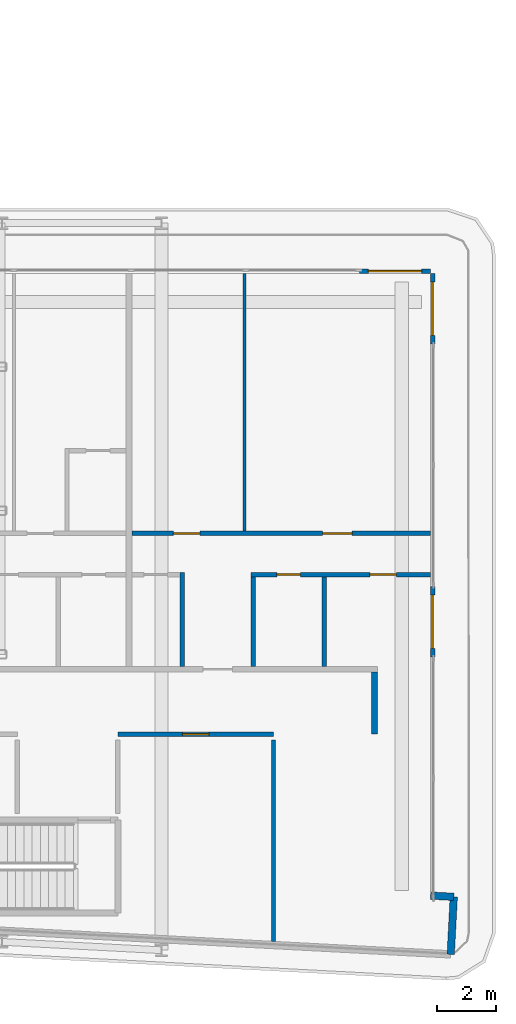
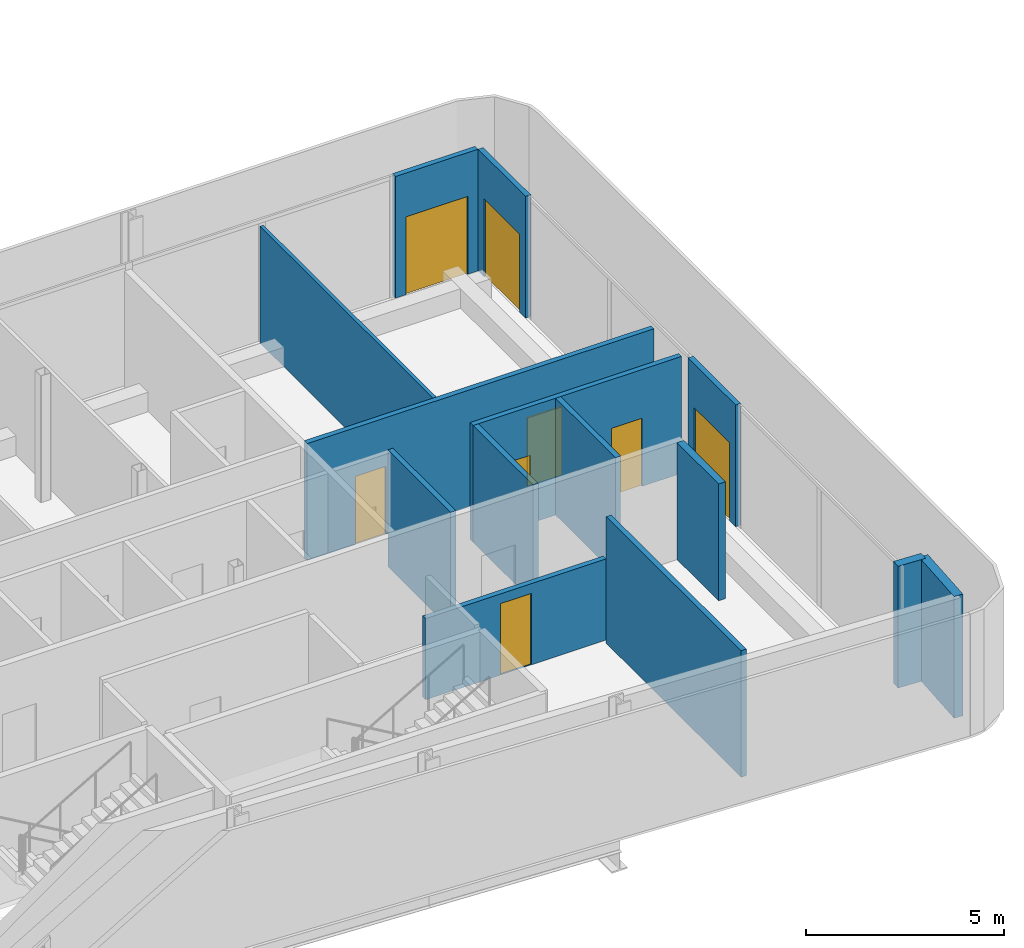
# One storey, part 20 of 29: 14 walls, 8 doors, 8 openings.
"""IFC4 building model written with IfcOpenShell, lengths in metres."""

from ifc_helpers import new_model, si_unit, direction, frame, frame_2d, origin, place, context, subcontext, project, spatial, rectangle, extrude, source, transform, mapped, material, layer, layer_set, type_object, element, fill, save


model = new_model("IFC4")

# Units and contexts
model_context = context("Model", 3, precision=1e-05, world=origin(), true_north=direction((0.0, 1.0)))
body_context = subcontext(model_context, "Body", "Model", "MODEL_VIEW")
ifc_project = project(units=[si_unit("LENGTHUNIT", "METRE"), si_unit("AREAUNIT", "SQUARE_METRE"), si_unit("VOLUMEUNIT", "CUBIC_METRE"), si_unit("PLANEANGLEUNIT", "RADIAN"), si_unit("MASSUNIT", "GRAM", prefix="KILO")], contexts=[model_context])

# Site, building, storey
site_placement = place(None, origin())
site = spatial("IfcSite", under=ifc_project, at=site_placement, CompositionType="ELEMENT")
building_placement = place(site_placement, origin())
building = spatial("IfcBuilding", under=site, at=building_placement, Name="Kheshtan School and Residences Tower", CompositionType="ELEMENT")
storey_placement = place(building_placement, frame((0.0, 0.0, 176.0)))
storey = spatial("IfcBuildingStorey", under=building, at=storey_placement, Name="L41", CompositionType="ELEMENT", Elevation=176.0)

# Walls
ifc_material_1 = material(Name="Gypsum board on steel studs with fire boards", Category="steel")
ifc_layer_1 = layer(ifc_material_1, 0.199951171875)
ifc_layer_set_1 = layer_set([ifc_layer_1], Name="Corridor wall 200")
wall_type_1 = type_object("IfcWallType", Name="Corridor wall 200", PredefinedType="PARTITIONING", material=ifc_layer_set_1)
wall_1_placement = place(storey_placement, frame((98.0, 28.300048828125, 0.0), z_axis=(0.0, 0.0, 1.0), x_axis=(0.0, 1.0, 0.0)))
element("IfcWall", 1, at=wall_1_placement, inside=storey, type_object=wall_type_1, Name="Partition L41-071", PredefinedType="PARTITIONING", context=body_context, shape_type="SweptSolid", body=[
    extrude(rectangle(XDim=2.099853515625, YDim=0.199951171875, at=frame_2d((1.0498046875, 0.0))), origin(), (0.0, 0.0, 1.0), 3.60009765625),
])
ifc_material_2 = material(Name="Concrete C40/50 with ceramic cladding and mineral wool insulation", Category="concrete")
ifc_layer_2 = layer(ifc_material_2, 0.25)
ifc_layer_set_2 = layer_set([ifc_layer_2], Name="External wall 250 ceramic clad")
wall_type_2 = type_object("IfcWallType", Name="External wall 250 ceramic clad", PredefinedType="SOLIDWALL", material=ifc_layer_set_2)
wall_2_placement = place(storey_placement, frame((99.906982421875, 22.839111328125, 0.0), z_axis=(0.0, 0.0, 1.0), x_axis=(0.998561284263, -0.053622398031, 0.0)))
element("IfcWall", 2, at=wall_2_placement, inside=storey, type_object=wall_type_2, Name="External wall L41 14", PredefinedType="SOLIDWALL", context=body_context, shape_type="SweptSolid", body=[
    extrude(rectangle(XDim=0.783203125, YDim=0.25, at=frame_2d((0.3916015625, 0.0))), origin(), (0.0, 0.0, 1.0), 3.75),
])
wall_3_placement = place(storey_placement, frame((100.68896484375, 22.797119140625, 0.0), z_axis=(0.0, 0.0, 1.0), x_axis=(-0.052841433274, -0.998602915542, 0.0)))
element("IfcWall", 3, at=wall_3_placement, inside=storey, type_object=wall_type_2, Name="External wall L41 15", PredefinedType="SOLIDWALL", context=body_context, shape_type="SweptSolid", body=[
    extrude(rectangle(XDim=1.94970703125, YDim=0.25, at=frame_2d((0.974853515625, 0.0))), origin(), (0.0, 0.0, 1.0), 3.75),
])

# Wall, opening, door
ifc_material_3 = material(Name="Aluminium frame wall with insulated infill", Category="aluminium")
ifc_layer_3 = layer(ifc_material_3, 0.14990234375)
ifc_layer_set_3 = layer_set([ifc_layer_3], Name="Glazing frame wall 150")
wall_type_3 = type_object("IfcWallType", Name="Glazing frame wall 150", PredefinedType="SOLIDWALL", material=ifc_layer_set_3)
wall_4_placement = place(storey_placement, frame((97.5, 43.97509765625, 0.0), z_axis=(0.0, 0.0, 1.0), x_axis=(1.0, 0.0, 0.0)))
wall_4 = element("IfcWall", 4, at=wall_4_placement, inside=storey, type_object=wall_type_3, Name="Balcony door wall L41 12.5", PredefinedType="SOLIDWALL", context=body_context, shape_type="SweptSolid", body=[
    extrude(rectangle(XDim=2.39990234375, YDim=0.14990234375, at=frame_2d((1.199951171875, 0.0))), origin(), (0.0, 0.0, 1.0), 3.75),
])
opening_1_placement = place(wall_4_placement, frame((0.300048828125, 0.0, 0.0)))
opening_1 = element("IfcOpeningElement", 5, at=opening_1_placement, cuts=wall_4, Name="Opening BD", PredefinedType="OPENING", context=body_context, shape_type="SweptSolid", body=[
    extrude(rectangle(XDim=1.800048828125, YDim=2.39990234375, at=frame_2d((0.89990234375, 1.199951171875))), frame((0.0, 0.0849609375, 0.0), z_axis=(0.0, -1.0, 0.0), x_axis=(1.0, 0.0, 0.0)), (0.0, 0.0, 1.0), 0.169921875),
])
ifc_material_4 = material(Name="Clear low-e glass in thermally broken aluminium frame", Category="aluminium")
door_type_1 = type_object("IfcDoorType", Name="Balcony sliding door", OperationType="SLIDING_TO_LEFT", PredefinedType="DOOR", material=ifc_material_4)
shared_shape_1 = source(origin(), body_context, "Body", "SweptSolid", [
    extrude(rectangle(XDim=1.800048828125, YDim=2.39990234375, at=frame_2d((0.89990234375, 1.199951171875))), frame((0.0, 0.02490234375, 0.0), z_axis=(0.0, -1.0, 0.0), x_axis=(1.0, 0.0, 0.0)), (0.0, 0.0, 1.0), 0.050048828125),
])
door_1_placement = place(opening_1_placement, origin())
door_1 = element("IfcDoor", 6, at=door_1_placement, inside=storey, type_object=door_type_1, Name="Balcony door L41 12.5", OperationType="SLIDING_TO_LEFT", OverallHeight=2.39990234375, OverallWidth=1.800048828125, PredefinedType="DOOR", context=body_context, shape_type="MappedRepresentation", body=[
    mapped(shared_shape_1, transform((0.0, 0.0, 0.0), x_axis=(1.0, 0.0, 0.0), y_axis=(0.0, 1.0, 0.0), z_axis=(0.0, 0.0, 1.0), scale=1.0)),
])
fill(opening_1, door_1)

wall_5_placement = place(storey_placement, frame((99.97509765625, 43.89990234375, 0.0), z_axis=(0.0, 0.0, 1.0), x_axis=(0.0, -1.0, 0.0)))
wall_5 = element("IfcWall", 7, at=wall_5_placement, inside=storey, type_object=wall_type_3, Name="Balcony door wall L41 13.1", PredefinedType="SOLIDWALL", context=body_context, shape_type="SweptSolid", body=[
    extrude(rectangle(XDim=2.39990234375, YDim=0.14990234375, at=frame_2d((1.199951171875, 0.0))), origin(), (0.0, 0.0, 1.0), 3.75),
])
opening_2_placement = place(wall_5_placement, frame((0.300048828125, 0.0, 0.0)))
opening_2 = element("IfcOpeningElement", 8, at=opening_2_placement, cuts=wall_5, Name="Opening BD", PredefinedType="OPENING", context=body_context, shape_type="SweptSolid", body=[
    extrude(rectangle(XDim=1.800048828125, YDim=2.39990234375, at=frame_2d((0.89990234375, 1.199951171875))), frame((0.0, 0.0849609375, 0.0), z_axis=(0.0, -1.0, 0.0), x_axis=(1.0, 0.0, 0.0)), (0.0, 0.0, 1.0), 0.169921875),
])
door_2_placement = place(opening_2_placement, origin())
door_2 = element("IfcDoor", 9, at=door_2_placement, inside=storey, type_object=door_type_1, Name="Balcony door L41 13.1", OperationType="SLIDING_TO_LEFT", OverallHeight=2.39990234375, OverallWidth=1.800048828125, PredefinedType="DOOR", context=body_context, shape_type="MappedRepresentation", body=[
    mapped(shared_shape_1, transform((0.0, 0.0, 0.0), x_axis=(1.0, 0.0, 0.0), y_axis=(0.0, 1.0, 0.0), z_axis=(0.0, 0.0, 1.0), scale=1.0)),
])
fill(opening_2, door_2)

wall_6_placement = place(storey_placement, frame((99.97509765625, 33.306884765625, 0.0), z_axis=(0.0, 0.0, 1.0), x_axis=(0.0, -1.0, 0.0)))
wall_6 = element("IfcWall", 10, at=wall_6_placement, inside=storey, type_object=wall_type_3, Name="Balcony door wall L41 13.2", PredefinedType="SOLIDWALL", context=body_context, shape_type="SweptSolid", body=[
    extrude(rectangle(XDim=2.39990234375, YDim=0.14990234375, at=frame_2d((1.199951171875, 0.0))), origin(), (0.0, 0.0, 1.0), 3.75),
])
opening_3_placement = place(wall_6_placement, frame((0.300048828125, 0.0, 0.0)))
opening_3 = element("IfcOpeningElement", 11, at=opening_3_placement, cuts=wall_6, Name="Opening BD", PredefinedType="OPENING", context=body_context, shape_type="SweptSolid", body=[
    extrude(rectangle(XDim=1.800048828125, YDim=2.39990234375, at=frame_2d((0.89990234375, 1.199951171875))), frame((0.0, 0.0849609375, 0.0), z_axis=(0.0, -1.0, 0.0), x_axis=(1.0, 0.0, 0.0)), (0.0, 0.0, 1.0), 0.169921875),
])
door_3_placement = place(opening_3_placement, origin())
door_3 = element("IfcDoor", 12, at=door_3_placement, inside=storey, type_object=door_type_1, Name="Balcony door L41 13.2", OperationType="SLIDING_TO_LEFT", OverallHeight=2.39990234375, OverallWidth=1.800048828125, PredefinedType="DOOR", context=body_context, shape_type="MappedRepresentation", body=[
    mapped(shared_shape_1, transform((0.0, 0.0, 0.0), x_axis=(1.0, 0.0, 0.0), y_axis=(0.0, 1.0, 0.0), z_axis=(0.0, 0.0, 1.0), scale=1.0)),
])
fill(opening_3, door_3)

# Wall
ifc_material_5 = material(Name="Gypsum board on steel studs", Category="steel")
ifc_layer_4 = layer(ifc_material_5, 0.10009765625)
ifc_layer_set_4 = layer_set([ifc_layer_4], Name="Gypsum partition 100")
wall_type_4 = type_object("IfcWallType", Name="Gypsum partition 100", PredefinedType="PARTITIONING", material=ifc_layer_set_4)
wall_7_placement = place(storey_placement, frame((93.60009765625, 35.175048828125, 0.0), z_axis=(0.0, 0.0, 1.0), x_axis=(0.0, 1.0, 0.0)))
element("IfcWall", 13, at=wall_7_placement, inside=storey, type_object=wall_type_4, Name="Partition L41-067", PredefinedType="PARTITIONING", context=body_context, shape_type="SweptSolid", body=[
    extrude(rectangle(XDim=8.724853515625, YDim=0.10009765625, at=frame_2d((4.3623046875, 0.0))), origin(), (0.0, 0.0, 1.0), 3.60009765625),
])

# Wall, opening, door
ifc_material_6 = material(Name="Fire-board shaft wall system")
ifc_layer_5 = layer(ifc_material_6, 0.14990234375)
ifc_layer_set_5 = layer_set([ifc_layer_5], Name="Service room wall 150")
wall_type_5 = type_object("IfcWallType", Name="Service room wall 150", PredefinedType="PARTITIONING", material=ifc_layer_set_5)
wall_8_placement = place(storey_placement, frame((89.320068359375, 28.300048828125, 0.0), z_axis=(0.0, 0.0, 1.0), x_axis=(1.0, 0.0, 0.0)))
wall_8 = element("IfcWall", 14, at=wall_8_placement, inside=storey, type_object=wall_type_5, Name="Service room wall", PredefinedType="PARTITIONING", context=body_context, shape_type="SweptSolid", body=[
    extrude(rectangle(XDim=5.266845703125, YDim=0.14990234375, at=frame_2d((2.63330078125, 0.0))), origin(), (0.0, 0.0, 1.0), 2.5),
])
opening_4_placement = place(wall_8_placement, frame((2.18408203125, 0.0, 0.0)))
opening_4 = element("IfcOpeningElement", 15, at=opening_4_placement, cuts=wall_8, Name="Opening SR90", PredefinedType="OPENING", context=body_context, shape_type="SweptSolid", body=[
    extrude(rectangle(XDim=0.89990234375, YDim=2.199951171875, at=frame_2d((0.449951171875, 1.10009765625))), frame((0.0, 0.0849609375, 0.0), z_axis=(0.0, -1.0, 0.0), x_axis=(1.0, 0.0, 0.0)), (0.0, 0.0, 1.0), 0.169921875),
])
ifc_material_7 = material(Name="Steel door leaf, galvanised", Category="steel")
door_type_2 = type_object("IfcDoorType", Name="Service room door 900 steel 90 min", OperationType="SINGLE_SWING_LEFT", PredefinedType="DOOR", material=ifc_material_7)
shared_shape_2 = source(origin(), body_context, "Body", "SweptSolid", [
    extrude(rectangle(XDim=0.89990234375, YDim=2.199951171875, at=frame_2d((0.449951171875, 1.10009765625))), frame((0.0, 0.02490234375, 0.0), z_axis=(0.0, -1.0, 0.0), x_axis=(1.0, 0.0, 0.0)), (0.0, 0.0, 1.0), 0.050048828125),
])
door_4_placement = place(opening_4_placement, origin())
door_4 = element("IfcDoor", 16, at=door_4_placement, inside=storey, type_object=door_type_2, Name="Service room door", OperationType="SINGLE_SWING_LEFT", OverallHeight=2.199951171875, OverallWidth=0.89990234375, PredefinedType="DOOR", context=body_context, shape_type="MappedRepresentation", body=[
    mapped(shared_shape_2, transform((0.0, 0.0, 0.0), x_axis=(1.0, 0.0, 0.0), y_axis=(0.0, 1.0, 0.0), z_axis=(0.0, 0.0, 1.0), scale=1.0)),
])
fill(opening_4, door_4)

# Wall
wall_9_placement = place(storey_placement, frame((94.5869140625, 21.29296875, 0.0), z_axis=(0.0, 0.0, 1.0), x_axis=(0.0, 1.0, 0.0)))
element("IfcWall", 17, at=wall_9_placement, inside=storey, type_object=wall_type_5, Name="Service room wall", PredefinedType="PARTITIONING", context=body_context, shape_type="SweptSolid", body=[
    extrude(rectangle(XDim=6.81201171875, YDim=0.14990234375, at=frame_2d((3.406005859375, 0.0))), origin(), (0.0, 0.0, 1.0), 3.89990234375),
])

# Wall, openings, doors
ifc_material_8 = material(Name="Moisture-resistant gypsum board on steel studs", Category="steel")
ifc_layer_6 = layer(ifc_material_8, 0.14990234375)
ifc_layer_set_6 = layer_set([ifc_layer_6], Name="Wet-room partition 150")
wall_type_6 = type_object("IfcWallType", Name="Wet-room partition 150", PredefinedType="PARTITIONING", material=ifc_layer_set_6)
wall_10_placement = place(storey_placement, frame((89.800048828125, 35.10009765625, 0.0), z_axis=(0.0, 0.0, 1.0), x_axis=(1.0, 0.0, 0.0)))
wall_10 = element("IfcWall", 18, at=wall_10_placement, inside=storey, type_object=wall_type_6, Name="Partition L41-065", PredefinedType="PARTITIONING", context=body_context, shape_type="SweptSolid", body=[
    extrude(rectangle(XDim=10.099853515625, YDim=0.14990234375, at=frame_2d((5.0498046875, 0.0))), origin(), (0.0, 0.0, 1.0), 3.60009765625),
])
opening_5_placement = place(wall_10_placement, frame((1.39990234375, 0.0, 0.0)))
opening_5 = element("IfcOpeningElement", 19, at=opening_5_placement, cuts=wall_10, Name="Opening D41-026", PredefinedType="OPENING", context=body_context, shape_type="SweptSolid", body=[
    extrude(rectangle(XDim=0.89990234375, YDim=2.10009765625, at=frame_2d((0.449951171875, 1.050048828125))), frame((0.0, 0.0849609375, 0.0), z_axis=(0.0, -1.0, 0.0), x_axis=(1.0, 0.0, 0.0)), (0.0, 0.0, 1.0), 0.169921875),
])
opening_6_placement = place(wall_10_placement, frame((6.449951171875, 0.0, 0.0)))
opening_6 = element("IfcOpeningElement", 20, at=opening_6_placement, cuts=wall_10, Name="Opening D41-029", PredefinedType="OPENING", context=body_context, shape_type="SweptSolid", body=[
    extrude(rectangle(XDim=1.0, YDim=2.10009765625, at=frame_2d((0.5, 1.050048828125))), frame((0.0, 0.0849609375, 0.0), z_axis=(0.0, -1.0, 0.0), x_axis=(1.0, 0.0, 0.0)), (0.0, 0.0, 1.0), 0.169921875),
])
ifc_material_9 = material(Name="Veneered timber door leaf", Category="wood")
door_type_3 = type_object("IfcDoorType", Name="Door 1000 x 2100", OperationType="SINGLE_SWING_LEFT", PredefinedType="DOOR", material=ifc_material_9)
shared_shape_3 = source(origin(), body_context, "Body", "SweptSolid", [
    extrude(rectangle(XDim=1.0, YDim=2.10009765625, at=frame_2d((0.5, 1.050048828125))), frame((0.0, 0.02490234375, 0.0), z_axis=(0.0, -1.0, 0.0), x_axis=(1.0, 0.0, 0.0)), (0.0, 0.0, 1.0), 0.050048828125),
])
door_5_placement = place(opening_6_placement, origin())
door_5 = element("IfcDoor", 21, at=door_5_placement, inside=storey, type_object=door_type_3, Name="Door D41-029", OperationType="SINGLE_SWING_LEFT", OverallHeight=2.10009765625, OverallWidth=1.0, PredefinedType="DOOR", context=body_context, shape_type="MappedRepresentation", body=[
    mapped(shared_shape_3, transform((0.0, 0.0, 0.0), x_axis=(1.0, 0.0, 0.0), y_axis=(0.0, 1.0, 0.0), z_axis=(0.0, 0.0, 1.0), scale=1.0)),
])
fill(opening_6, door_5)
door_type_4 = type_object("IfcDoorType", Name="Door 900 x 2100", OperationType="SINGLE_SWING_LEFT", PredefinedType="DOOR", material=ifc_material_9)
shared_shape_4 = source(origin(), body_context, "Body", "SweptSolid", [
    extrude(rectangle(XDim=0.89990234375, YDim=2.10009765625, at=frame_2d((0.449951171875, 1.050048828125))), frame((0.0, 0.02490234375, 0.0), z_axis=(0.0, -1.0, 0.0), x_axis=(1.0, 0.0, 0.0)), (0.0, 0.0, 1.0), 0.050048828125),
])
door_6_placement = place(opening_5_placement, origin())
door_6 = element("IfcDoor", 22, at=door_6_placement, inside=storey, type_object=door_type_4, Name="Door D41-026", OperationType="SINGLE_SWING_RIGHT", OverallHeight=2.10009765625, OverallWidth=0.89990234375, PredefinedType="DOOR", context=body_context, shape_type="MappedRepresentation", body=[
    mapped(shared_shape_4, transform((0.0, 0.0, 0.0), x_axis=(1.0, 0.0, 0.0), y_axis=(0.0, 1.0, 0.0), z_axis=(0.0, 0.0, 1.0), scale=1.0)),
])
fill(opening_5, door_6)

# Wall
wall_11_placement = place(storey_placement, frame((91.5, 30.60009765625, 0.0), z_axis=(0.0, 0.0, 1.0), x_axis=(0.0, 1.0, 0.0)))
element("IfcWall", 23, at=wall_11_placement, inside=storey, type_object=wall_type_6, Name="Partition L41-066", PredefinedType="PARTITIONING", context=body_context, shape_type="SweptSolid", body=[
    extrude(rectangle(XDim=3.1748046875, YDim=0.14990234375, at=frame_2d((1.58740234375, 0.0))), origin(), (0.0, 0.0, 1.0), 3.60009765625),
])

# Wall, openings, doors
wall_12_placement = place(storey_placement, frame((93.824951171875, 33.699951171875, 0.0), z_axis=(0.0, 0.0, 1.0), x_axis=(1.0, 0.0, 0.0)))
wall_12 = element("IfcWall", 24, at=wall_12_placement, inside=storey, type_object=wall_type_6, Name="Partition L41-068", PredefinedType="PARTITIONING", context=body_context, shape_type="SweptSolid", body=[
    extrude(rectangle(XDim=6.074951171875, YDim=0.14990234375, at=frame_2d((3.03759765625, 0.0))), origin(), (0.0, 0.0, 1.0), 3.60009765625),
])
opening_7_placement = place(wall_12_placement, frame((0.875, 0.0, 0.0)))
opening_7 = element("IfcOpeningElement", 25, at=opening_7_placement, cuts=wall_12, Name="Opening D41-025", PredefinedType="OPENING", context=body_context, shape_type="SweptSolid", body=[
    extrude(rectangle(XDim=0.800048828125, YDim=2.10009765625, at=frame_2d((0.39990234375, 1.050048828125))), frame((0.0, 0.0849609375, 0.0), z_axis=(0.0, -1.0, 0.0), x_axis=(1.0, 0.0, 0.0)), (0.0, 0.0, 1.0), 0.169921875),
])
opening_8_placement = place(wall_12_placement, frame((4.02490234375, 0.0, 0.0)))
opening_8 = element("IfcOpeningElement", 26, at=opening_8_placement, cuts=wall_12, Name="Opening D41-028", PredefinedType="OPENING", context=body_context, shape_type="SweptSolid", body=[
    extrude(rectangle(XDim=0.89990234375, YDim=2.10009765625, at=frame_2d((0.449951171875, 1.050048828125))), frame((0.0, 0.0849609375, 0.0), z_axis=(0.0, -1.0, 0.0), x_axis=(1.0, 0.0, 0.0)), (0.0, 0.0, 1.0), 0.169921875),
])
door_type_5 = type_object("IfcDoorType", Name="Door 800 x 2100", OperationType="SINGLE_SWING_LEFT", PredefinedType="DOOR", material=ifc_material_9)
shared_shape_5 = source(origin(), body_context, "Body", "SweptSolid", [
    extrude(rectangle(XDim=0.800048828125, YDim=2.10009765625, at=frame_2d((0.39990234375, 1.050048828125))), frame((0.0, 0.02490234375, 0.0), z_axis=(0.0, -1.0, 0.0), x_axis=(1.0, 0.0, 0.0)), (0.0, 0.0, 1.0), 0.050048828125),
])
door_7_placement = place(opening_7_placement, origin())
door_7 = element("IfcDoor", 27, at=door_7_placement, inside=storey, type_object=door_type_5, Name="Door D41-025", OperationType="SINGLE_SWING_RIGHT", OverallHeight=2.10009765625, OverallWidth=0.800048828125, PredefinedType="DOOR", context=body_context, shape_type="MappedRepresentation", body=[
    mapped(shared_shape_5, transform((0.0, 0.0, 0.0), x_axis=(1.0, 0.0, 0.0), y_axis=(0.0, 1.0, 0.0), z_axis=(0.0, 0.0, 1.0), scale=1.0)),
])
fill(opening_7, door_7)
door_8_placement = place(opening_8_placement, origin())
door_8 = element("IfcDoor", 28, at=door_8_placement, inside=storey, type_object=door_type_4, Name="Door D41-028", OperationType="SINGLE_SWING_LEFT", OverallHeight=2.10009765625, OverallWidth=0.89990234375, PredefinedType="DOOR", context=body_context, shape_type="MappedRepresentation", body=[
    mapped(shared_shape_4, transform((0.0, 0.0, 0.0), x_axis=(1.0, 0.0, 0.0), y_axis=(0.0, 1.0, 0.0), z_axis=(0.0, 0.0, 1.0), scale=1.0)),
])
fill(opening_8, door_8)

# Walls
for number, where, z_axis, x_axis, name in (
    (29, (93.89990234375, 30.60009765625, 0.0), (0.0, 0.0, 1.0), (0.0, 1.0, 0.0), "Partition L41-069"),
    (30, (96.300048828125, 30.60009765625, 0.0), (0.0, 0.0, 1.0), (0.0, 1.0, 0.0), "Partition L41-070"),
):
    element("IfcWall", number, at=place(storey_placement, frame(where, z_axis=z_axis, x_axis=x_axis)), inside=storey, type_object=wall_type_6, Name=name, PredefinedType="PARTITIONING", context=body_context, shape_type="SweptSolid", body=[
        extrude(rectangle(XDim=3.02490234375, YDim=0.14990234375, at=frame_2d((1.512451171875, 0.0))), origin(), (0.0, 0.0, 1.0), 3.60009765625),
    ])

save(model, "model.ifc")
